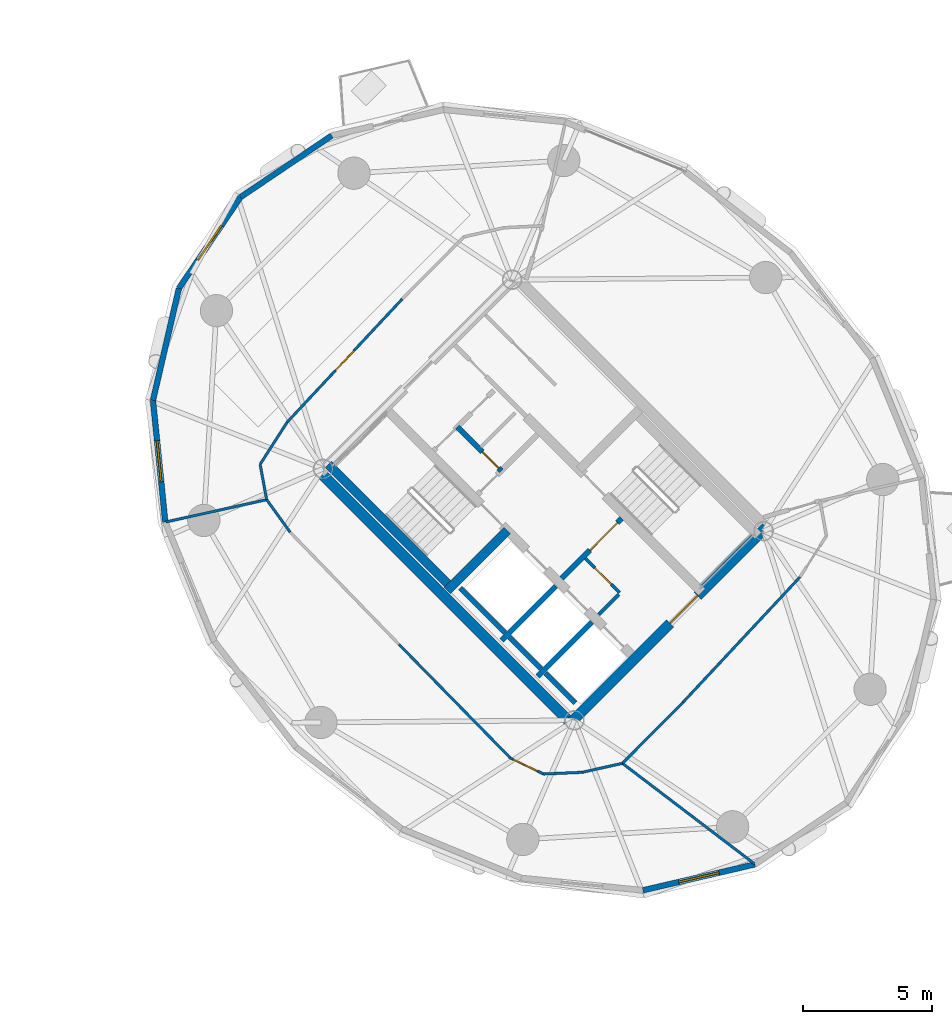
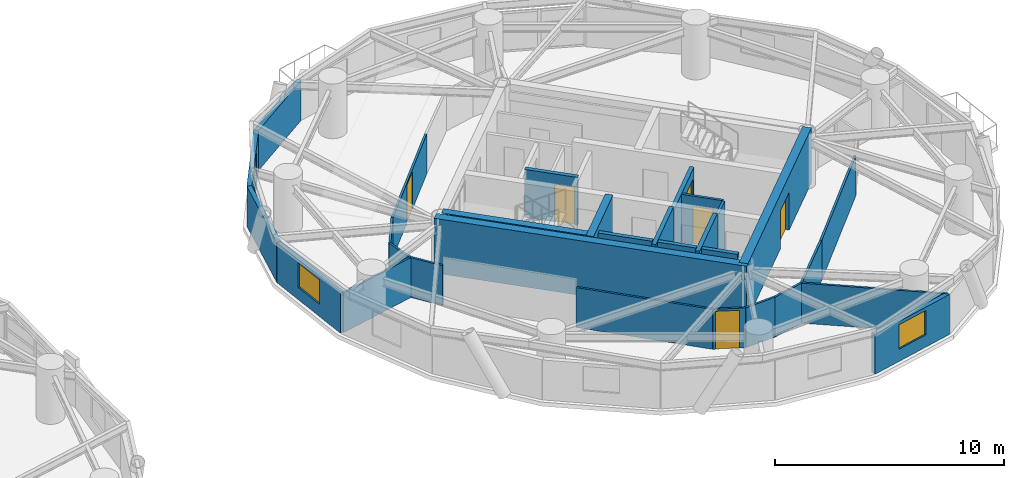
# One storey, part 10 of 15: 30 walls, 6 doors, 3 windows, 9 openings.
"""IFC4 building model written with IfcOpenShell, lengths in metres."""

from ifc_helpers import new_model, si_unit, direction, frame, frame_2d, origin, place, context, subcontext, project, spatial, rectangle, extrude, source, transform, mapped, material, layer, layer_set, type_object, element, fill, save


model = new_model("IFC4")

# Units and contexts
model_context = context("Model", 3, precision=1e-05, world=origin(), true_north=direction((0.0, 1.0)))
body_context = subcontext(model_context, "Body", "Model", "MODEL_VIEW")
ifc_project = project(units=[si_unit("LENGTHUNIT", "METRE"), si_unit("AREAUNIT", "SQUARE_METRE"), si_unit("VOLUMEUNIT", "CUBIC_METRE"), si_unit("PLANEANGLEUNIT", "RADIAN"), si_unit("MASSUNIT", "GRAM", prefix="KILO")], contexts=[model_context])

# Site, building, storey
site_placement = place(None, origin())
site = spatial("IfcSite", under=ifc_project, at=site_placement, CompositionType="ELEMENT")
building_placement = place(site_placement, origin())
building = spatial("IfcBuilding", under=site, at=building_placement, Name="Cununo Teusaquillo Station Towers", CompositionType="ELEMENT")
storey_placement = place(building_placement, frame((0.0, 0.0, 189.429931640625)))
storey = spatial("IfcBuildingStorey", under=building, at=storey_placement, Name="L60", CompositionType="ELEMENT", Elevation=189.429931640625)

# Walls
ifc_material_1 = material(Name="Concrete C50/60", Category="concrete")
ifc_layer_1 = layer(ifc_material_1, 0.199951171875)
ifc_layer_set_1 = layer_set([ifc_layer_1], Name="Concrete C50/60")
wall_type_1 = type_object("IfcWallType", Name="WL-CORE-200", PredefinedType="SHEAR", material=ifc_layer_set_1)
wall_1_placement = place(storey_placement, frame((55.8876953125, 19.0693359375, 0.0), z_axis=(0.0, 0.0, 1.0), x_axis=(0.707106781187, 0.707106781187, 0.0)))
element("IfcWall", 1, at=wall_1_placement, inside=storey, type_object=wall_type_1, Name="L60 Tower B Firefighting Lift Shaft South Shear Wall", PredefinedType="SHEAR", context=body_context, shape_type="SweptSolid", body=[
    extrude(rectangle(XDim=2.969970703125, YDim=0.199951171875, at=frame_2d((1.48486328125, 0.0))), origin(), (0.0, 0.0, 1.0), 2.91015625),
])
wall_2_placement = place(storey_placement, frame((56.01513671875, 19.366455078125, 0.0), z_axis=(0.0, 0.0, 1.0), x_axis=(-0.707106781187, 0.707106781187, 0.0)))
element("IfcWall", 2, at=wall_2_placement, inside=storey, type_object=wall_type_1, Name="L60 Tower B Firefighting Lift Shaft Rear Shear Wall", PredefinedType="SHEAR", context=body_context, shape_type="SweptSolid", body=[
    extrude(rectangle(XDim=2.43994140625, YDim=0.199951171875, at=frame_2d((1.219970703125, 0.0))), origin(), (0.0, 0.0, 1.0), 2.91015625),
])
wall_3_placement = place(storey_placement, frame((57.2841796875, 17.6728515625, 0.0), z_axis=(0.0, 0.0, 1.0), x_axis=(0.707147878904, 0.70706568108, 0.0)))
element("IfcWall", 3, at=wall_3_placement, inside=storey, type_object=wall_type_1, Name="L60 Tower B High-Rise Lift Hoistway Divider Shear Wall", PredefinedType="SHEAR", context=body_context, shape_type="SweptSolid", body=[
    extrude(rectangle(XDim=2.97021484375, YDim=0.199951171875, at=frame_2d((1.485107421875, 0.0))), origin(), (0.0, 0.0, 1.0), 2.91015625),
])
wall_4_placement = place(storey_placement, frame((57.41162109375, 17.969970703125, 0.0), z_axis=(0.0, 0.0, 1.0), x_axis=(-0.707106781187, 0.707106781187, 0.0)))
element("IfcWall", 4, at=wall_4_placement, inside=storey, type_object=wall_type_1, Name="L60 Tower B High-Rise Lift 2 Shaft Rear Shear Wall", PredefinedType="SHEAR", context=body_context, shape_type="SweptSolid", body=[
    extrude(rectangle(XDim=1.73486328125, YDim=0.199951171875, at=frame_2d((0.867431640625, 0.0))), origin(), (0.0, 0.0, 1.0), 2.91015625),
])
wall_5_placement = place(storey_placement, frame((58.7373046875, 16.64404296875, 0.0), z_axis=(0.0, 0.0, 1.0), x_axis=(-0.707032117043, 0.707181437447, 0.0)))
element("IfcWall", 5, at=wall_5_placement, inside=storey, type_object=wall_type_1, Name="L60 Tower B High-Rise Lift 1 Shaft Rear Shear Wall", PredefinedType="SHEAR", context=body_context, shape_type="SweptSolid", body=[
    extrude(rectangle(XDim=1.635009765625, YDim=0.199951171875, at=frame_2d((0.8173828125, 0.0))), origin(), (0.0, 0.0, 1.0), 2.91015625),
])
ifc_material_2 = material(Name="Concrete C50/60", Category="concrete")
ifc_layer_2 = layer(ifc_material_2, 0.35009765625)
ifc_layer_set_2 = layer_set([ifc_layer_2], Name="Concrete C50/60")
wall_type_2 = type_object("IfcWallType", Name="WL-CORE-350", PredefinedType="SHEAR", material=ifc_layer_set_2)
wall_6_placement = place(storey_placement, frame((53.922119140625, 21.14111328125, 0.0), z_axis=(0.0, 0.0, 1.0), x_axis=(-0.707106781187, 0.707106781187, 0.0)))
element("IfcWall", 6, at=wall_6_placement, inside=storey, type_object=wall_type_2, Name="L60 Tower B Core Shear Wall ST1W", PredefinedType="SHEAR", context=body_context, shape_type="SweptSolid", body=[
    extrude(rectangle(XDim=6.695068359375, YDim=0.35009765625, at=frame_2d((3.34765625, 0.0))), origin(), (0.0, 0.0, 1.0), 2.91015625),
])
wall_7_placement = place(storey_placement, frame((53.7841796875, 21.00341796875, 0.0), z_axis=(0.0, 0.0, 1.0), x_axis=(0.707106781187, 0.707106781187, 0.0)))
element("IfcWall", 7, at=wall_7_placement, inside=storey, type_object=wall_type_2, Name="L60 Tower B Core Shear Wall ST1S", PredefinedType="SHEAR", context=body_context, shape_type="SweptSolid", body=[
    extrude(rectangle(XDim=3.284912109375, YDim=0.35009765625, at=frame_2d((1.642578125, 0.0))), origin(), (0.0, 0.0, 1.0), 2.91015625),
])
ifc_material_3 = material(Name="Concrete C50/60", Category="concrete")
ifc_layer_3 = layer(ifc_material_3, 0.39990234375)
ifc_layer_set_3 = layer_set([ifc_layer_3], Name="Concrete C50/60")
wall_type_3 = type_object("IfcWallType", Name="WL-CORE-400", PredefinedType="SHEAR", material=ifc_layer_set_3)
wall_8_placement = place(storey_placement, frame((58.7021484375, 15.73193359375, 0.0), z_axis=(0.0, 0.0, 1.0), x_axis=(-0.707106781187, 0.707106781187, 0.0)))
element("IfcWall", 8, at=wall_8_placement, inside=storey, type_object=wall_type_3, Name="L60 Tower B Core Shear Wall W", PredefinedType="SHEAR", context=body_context, shape_type="SweptSolid", body=[
    extrude(rectangle(XDim=14.10009765625, YDim=0.39990234375, at=frame_2d((7.050048828125, 0.0))), origin(), (0.0, 0.0, 1.0), 2.91015625),
])

# Wall, opening, door
wall_9_placement = place(storey_placement, frame((58.560791015625, 15.873291015625, 0.0), z_axis=(0.0, 0.0, 1.0), x_axis=(0.707106781187, 0.707106781187, 0.0)))
wall_9 = element("IfcWall", 9, at=wall_9_placement, inside=storey, type_object=wall_type_3, Name="L60 Tower B Core Shear Wall S", PredefinedType="SHEAR", context=body_context, shape_type="SweptSolid", body=[
    extrude(rectangle(XDim=10.69970703125, YDim=0.39990234375, at=frame_2d((5.349853515625, 0.0))), origin(), (0.0, 0.0, 1.0), 2.91015625),
])
shared_shape_1 = source(origin(), body_context, "Body", "SweptSolid", [
    extrude(rectangle(XDim=1.5, YDim=2.02001953125, at=frame_2d((0.75, 1.010009765625))), frame((0.0, 0.2099609375, 0.0), z_axis=(0.0, -1.0, 0.0), x_axis=(1.0, 0.0, 0.0)), (0.0, 0.0, 1.0), 0.419921875),
])
opening_1_placement = place(wall_9_placement, frame((5.449951171875, 0.0, 0.0)))
opening_1 = element("IfcOpeningElement", 10, at=opening_1_placement, cuts=wall_9, Name="Opening D-LB1", PredefinedType="OPENING", context=body_context, shape_type="MappedRepresentation", body=[
    mapped(shared_shape_1, transform((0.0, 0.0, 0.0), x_axis=(1.0, 0.0, 0.0), y_axis=(0.0, 1.0, 0.0), z_axis=(0.0, 0.0, 1.0), scale=1.0)),
])
ifc_material_4 = material(Name="Galvanised fire-rated hollow steel door assembly", Category="steel")
door_type_1 = type_object("IfcDoorType", Name="DR-LOBBY-1500", OperationType="DOUBLE_DOOR_SINGLE_SWING", PredefinedType="DOOR", material=ifc_material_4)
shared_shape_2 = source(origin(), body_context, "Body", "SweptSolid", [
    extrude(rectangle(XDim=1.5, YDim=2.02001953125, at=frame_2d((0.75, 1.010009765625))), frame((0.0, 0.02490234375, 0.0), z_axis=(0.0, -1.0, 0.0), x_axis=(1.0, 0.0, 0.0)), (0.0, 0.0, 1.0), 0.050048828125),
])
door_1_placement = place(opening_1_placement, origin())
door_1 = element("IfcDoor", 11, at=door_1_placement, inside=storey, type_object=door_type_1, Name="L60 Tower B South Core Lift Lobby Door", OperationType="DOUBLE_DOOR_SINGLE_SWING", OverallHeight=2.02001953125, OverallWidth=1.5, PredefinedType="DOOR", context=body_context, shape_type="MappedRepresentation", body=[
    mapped(shared_shape_2, transform((0.0, 0.0, 0.0), x_axis=(1.0, 0.0, 0.0), y_axis=(0.0, 1.0, 0.0), z_axis=(0.0, 0.0, 1.0), scale=1.0)),
])
fill(opening_1, door_1)

# Wall
ifc_material_5 = material(Name="Precast concrete C40/50", Category="concrete")
ifc_layer_4 = layer(ifc_material_5, 0.219970703125)
ifc_layer_set_4 = layer_set([ifc_layer_4], Name="Precast concrete C40/50")
wall_type_4 = type_object("IfcWallType", Name="WL-EXT-220", PredefinedType="SOLIDWALL", material=ifc_layer_set_4)
wall_10_placement = place(storey_placement, frame((45.783203125, 36.216796875, 0.0), z_axis=(0.0, 0.0, 1.0), x_axis=(0.828817439852, 0.55951912514, 0.0)))
element("IfcWall", 12, at=wall_10_placement, inside=storey, type_object=wall_type_4, Name="L60 Tower B Exterior Facade Wall C04", PredefinedType="SOLIDWALL", context=body_context, shape_type="SweptSolid", body=[
    extrude(rectangle(XDim=4.259033203125, YDim=0.219970703125, at=frame_2d((2.12939453125, 0.0))), origin(), (0.0, 0.0, 1.0), 2.125),
])

# Wall, opening, window
wall_11_placement = place(storey_placement, frame((43.400146484375, 32.686767578125, 0.0), z_axis=(0.0, 0.0, 1.0), x_axis=(0.55951912514, 0.828817439852, 0.0)))
wall_11 = element("IfcWall", 13, at=wall_11_placement, inside=storey, type_object=wall_type_4, Name="L60 Tower B Exterior Facade Wall C05", PredefinedType="SOLIDWALL", context=body_context, shape_type="SweptSolid", body=[
    extrude(rectangle(XDim=4.259033203125, YDim=0.219970703125, at=frame_2d((2.12939453125, 0.0))), origin(), (0.0, 0.0, 1.0), 2.125),
])
shared_shape_3 = source(origin(), body_context, "Body", "SweptSolid", [
    extrude(rectangle(XDim=1.60009765625, YDim=1.300048828125, at=frame_2d((0.800048828125, 0.64990234375))), frame((0.0, 0.119873046875, 0.0), z_axis=(0.0, -1.0, 0.0), x_axis=(1.0, 0.0, 0.0)), (0.0, 0.0, 1.0), 0.239990234375),
])
opening_2_placement = place(wall_11_placement, frame((1.330078125, 0.0, 0.64990234375)))
opening_2 = element("IfcOpeningElement", 14, at=opening_2_placement, cuts=wall_11, Name="Opening WN-03", PredefinedType="OPENING", context=body_context, shape_type="MappedRepresentation", body=[
    mapped(shared_shape_3, transform((0.0, 0.0, 0.0), x_axis=(1.0, 0.0, 0.0), y_axis=(0.0, 1.0, 0.0), z_axis=(0.0, 0.0, 1.0), scale=1.0)),
])
ifc_material_6 = material(Name="Ceramic-fritted dark low-E double glazing", Category="glass")
window_type = type_object("IfcWindowType", Name="WIN-CORN-1600", PartitioningType="SINGLE_PANEL", PredefinedType="WINDOW", material=ifc_material_6)
shared_shape_4 = source(origin(), body_context, "Body", "SweptSolid", [
    extrude(rectangle(XDim=1.60009765625, YDim=1.300048828125, at=frame_2d((0.800048828125, 0.64990234375))), frame((0.0, 0.030029296875, 0.0), z_axis=(0.0, -1.0, 0.0), x_axis=(1.0, 0.0, 0.0)), (0.0, 0.0, 1.0), 0.06005859375),
])
window_1_placement = place(opening_2_placement, origin())
window_1 = element("IfcWindow", 15, at=window_1_placement, inside=storey, type_object=window_type, Name="L60 Tower B Facade Window C05", OverallHeight=1.300048828125, OverallWidth=1.60009765625, PartitioningType="SINGLE_PANEL", PredefinedType="WINDOW", context=body_context, shape_type="MappedRepresentation", body=[
    mapped(shared_shape_4, transform((0.0, 0.0, 0.0), x_axis=(1.0, 0.0, 0.0), y_axis=(0.0, 1.0, 0.0), z_axis=(0.0, 0.0, 1.0), scale=1.0)),
])
fill(opening_2, window_1)

# Wall
wall_12_placement = place(storey_placement, frame((42.397216796875, 28.355224609375, 0.0), z_axis=(0.0, 0.0, 1.0), x_axis=(0.22557328587, 0.97422620202, 0.0)))
element("IfcWall", 16, at=wall_12_placement, inside=storey, type_object=wall_type_4, Name="L60 Tower B Exterior Facade Wall C06", PredefinedType="SOLIDWALL", context=body_context, shape_type="SweptSolid", body=[
    extrude(rectangle(XDim=4.446044921875, YDim=0.219970703125, at=frame_2d((2.22314453125, 0.0))), origin(), (0.0, 0.0, 1.0), 2.125),
])

# Wall, opening, window
wall_13_placement = place(storey_placement, frame((42.87255859375, 23.646484375, 0.0), z_axis=(0.0, 0.0, 1.0), x_axis=(-0.100438356004, 0.994943283129, 0.0)))
wall_13 = element("IfcWall", 17, at=wall_13_placement, inside=storey, type_object=wall_type_4, Name="L60 Tower B Exterior Facade Wall C07", PredefinedType="SOLIDWALL", context=body_context, shape_type="SweptSolid", body=[
    extrude(rectangle(XDim=4.732666015625, YDim=0.219970703125, at=frame_2d((2.3662109375, 0.0))), origin(), (0.0, 0.0, 1.0), 2.125),
])
opening_3_placement = place(wall_13_placement, frame((1.56591796875, 0.0, 0.64990234375)))
opening_3 = element("IfcOpeningElement", 18, at=opening_3_placement, cuts=wall_13, Name="Opening WN-03", PredefinedType="OPENING", context=body_context, shape_type="MappedRepresentation", body=[
    mapped(shared_shape_3, transform((0.0, 0.0, 0.0), x_axis=(1.0, 0.0, 0.0), y_axis=(0.0, 1.0, 0.0), z_axis=(0.0, 0.0, 1.0), scale=1.0)),
])
window_2_placement = place(opening_3_placement, origin())
window_2 = element("IfcWindow", 19, at=window_2_placement, inside=storey, type_object=window_type, Name="L60 Tower B Facade Window C07", OverallHeight=1.300048828125, OverallWidth=1.60009765625, PartitioningType="SINGLE_PANEL", PredefinedType="WINDOW", context=body_context, shape_type="MappedRepresentation", body=[
    mapped(shared_shape_4, transform((0.0, 0.0, 0.0), x_axis=(1.0, 0.0, 0.0), y_axis=(0.0, 1.0, 0.0), z_axis=(0.0, 0.0, 1.0), scale=1.0)),
])
fill(opening_3, window_2)

wall_14_placement = place(storey_placement, frame((65.686767578125, 10.400146484375, 0.0), z_axis=(0.0, 0.0, 1.0), x_axis=(-0.97422620202, -0.22557328587, 0.0)))
wall_14 = element("IfcWall", 20, at=wall_14_placement, inside=storey, type_object=wall_type_4, Name="L60 Tower B Exterior Facade Wall C13", PredefinedType="SOLIDWALL", context=body_context, shape_type="SweptSolid", body=[
    extrude(rectangle(XDim=4.446044921875, YDim=0.219970703125, at=frame_2d((2.22314453125, 0.0))), origin(), (0.0, 0.0, 1.0), 2.125),
])
opening_4_placement = place(wall_14_placement, frame((1.423095703125, 0.0, 0.64990234375)))
opening_4 = element("IfcOpeningElement", 21, at=opening_4_placement, cuts=wall_14, Name="Opening WN-03", PredefinedType="OPENING", context=body_context, shape_type="MappedRepresentation", body=[
    mapped(shared_shape_3, transform((0.0, 0.0, 0.0), x_axis=(1.0, 0.0, 0.0), y_axis=(0.0, 1.0, 0.0), z_axis=(0.0, 0.0, 1.0), scale=1.0)),
])
window_3_placement = place(opening_4_placement, origin())
window_3 = element("IfcWindow", 22, at=window_3_placement, inside=storey, type_object=window_type, Name="L60 Tower B Facade Window C13", OverallHeight=1.300048828125, OverallWidth=1.60009765625, PartitioningType="SINGLE_PANEL", PredefinedType="WINDOW", context=body_context, shape_type="MappedRepresentation", body=[
    mapped(shared_shape_4, transform((0.0, 0.0, 0.0), x_axis=(1.0, 0.0, 0.0), y_axis=(0.0, 1.0, 0.0), z_axis=(0.0, 0.0, 1.0), scale=1.0)),
])
fill(opening_4, window_3)

# Wall, opening, door
ifc_material_7 = material(Name="Fire-rated gypsum plasterboard partition assembly", Category="gypsum")
ifc_layer_5 = layer(ifc_material_7, 0.10009765625)
ifc_layer_set_5 = layer_set([ifc_layer_5], Name="Fire-rated gypsum plasterboard partition assembly")
wall_type_5 = type_object("IfcWallType", Name="WL-PART-100", PredefinedType="MOVABLE", material=ifc_layer_set_5)
wall_15_placement = place(storey_placement, frame((52.04345703125, 32.27978515625, 0.0), z_axis=(0.0, 0.0, 1.0), x_axis=(-0.682606081633, -0.730786519661, 0.0)))
wall_15 = element("IfcWall", 23, at=wall_15_placement, inside=storey, type_object=wall_type_5, Name="L60 Tower B Corridor Ring Wall C05", PredefinedType="MOVABLE", context=body_context, shape_type="SweptSolid", body=[
    extrude(rectangle(XDim=6.526611328125, YDim=0.10009765625, at=frame_2d((3.26318359375, 0.0))), origin(), (0.0, 0.0, 1.0), 2.125),
])
shared_shape_5 = source(origin(), body_context, "Body", "SweptSolid", [
    extrude(rectangle(XDim=1.050048828125, YDim=2.014892578125, at=frame_2d((0.52490234375, 1.00732421875))), frame((0.0, 0.06005859375, 0.0), z_axis=(0.0, -1.0, 0.0), x_axis=(1.0, 0.0, 0.0)), (0.0, 0.0, 1.0), 0.1201171875),
])
opening_5_placement = place(wall_15_placement, frame((2.73828125, 0.0, 0.0)))
opening_5 = element("IfcOpeningElement", 24, at=opening_5_placement, cuts=wall_15, Name="Opening D-SU1", PredefinedType="OPENING", context=body_context, shape_type="MappedRepresentation", body=[
    mapped(shared_shape_5, transform((0.0, 0.0, 0.0), x_axis=(1.0, 0.0, 0.0), y_axis=(0.0, 1.0, 0.0), z_axis=(0.0, 0.0, 1.0), scale=1.0)),
])
ifc_material_8 = material(Name="Acoustic solid-core hardwood leaf assembly", Category="wood")
door_type_2 = type_object("IfcDoorType", Name="DR-SUITE-1050", OperationType="NOTDEFINED", PredefinedType="DOOR", material=ifc_material_8)
shared_shape_6 = source(origin(), body_context, "Body", "SweptSolid", [
    extrude(rectangle(XDim=1.050048828125, YDim=2.014892578125, at=frame_2d((0.52490234375, 1.00732421875))), frame((0.0, 0.02490234375, 0.0), z_axis=(0.0, -1.0, 0.0), x_axis=(1.0, 0.0, 0.0)), (0.0, 0.0, 1.0), 0.050048828125),
])
door_2_placement = place(opening_5_placement, origin())
door_2 = element("IfcDoor", 25, at=door_2_placement, inside=storey, type_object=door_type_2, Name="L60 Tower B Summit Banquet & Symposium Hall Entrance Door", OperationType="SINGLE_SWING_LEFT", OverallHeight=2.014892578125, OverallWidth=1.050048828125, PredefinedType="DOOR", context=body_context, shape_type="MappedRepresentation", body=[
    mapped(shared_shape_6, transform((0.0, 0.0, 0.0), x_axis=(1.0, 0.0, 0.0), y_axis=(0.0, 1.0, 0.0), z_axis=(0.0, 0.0, 1.0), scale=1.0)),
])
fill(opening_5, door_2)

# Walls
wall_16_placement = place(storey_placement, frame((47.58837890625, 27.51025390625, 0.0), z_axis=(0.0, 0.0, 1.0), x_axis=(-0.540202619347, -0.841534984449, 0.0)))
element("IfcWall", 26, at=wall_16_placement, inside=storey, type_object=wall_type_5, Name="L60 Tower B Corridor Ring Wall C06", PredefinedType="MOVABLE", context=body_context, shape_type="SweptSolid", body=[
    extrude(rectangle(XDim=1.934814453125, YDim=0.10009765625, at=frame_2d((0.96728515625, 0.0))), origin(), (0.0, 0.0, 1.0), 2.125),
])
wall_17_placement = place(storey_placement, frame((46.543212890625, 25.882080078125, 0.0), z_axis=(0.0, 0.0, 1.0), x_axis=(0.181153502579, -0.983454832976, 0.0)))
element("IfcWall", 27, at=wall_17_placement, inside=storey, type_object=wall_type_5, Name="L60 Tower B Corridor Ring Wall C07", PredefinedType="MOVABLE", context=body_context, shape_type="SweptSolid", body=[
    extrude(rectangle(XDim=1.39208984375, YDim=0.10009765625, at=frame_2d((0.696044921875, 0.0))), origin(), (0.0, 0.0, 1.0), 2.125),
])
wall_18_placement = place(storey_placement, frame((46.79541015625, 24.512939453125, 0.0), z_axis=(0.0, 0.0, 1.0), x_axis=(0.585628197524, -0.810579801294, 0.0)))
element("IfcWall", 28, at=wall_18_placement, inside=storey, type_object=wall_type_5, Name="L60 Tower B Corridor Ring Wall C08", PredefinedType="MOVABLE", context=body_context, shape_type="SweptSolid", body=[
    extrude(rectangle(XDim=1.55419921875, YDim=0.10009765625, at=frame_2d((0.777099609375, 0.0))), origin(), (0.0, 0.0, 1.0), 2.125),
])
wall_19_placement = place(storey_placement, frame((51.913818359375, 18.913818359375, 0.0), z_axis=(0.0, 0.0, 1.0), x_axis=(0.699999313799, -0.714143515465, 0.0)))
element("IfcWall", 29, at=wall_19_placement, inside=storey, type_object=wall_type_5, Name="L60 Tower B Corridor Ring Wall C10", PredefinedType="MOVABLE", context=body_context, shape_type="SweptSolid", body=[
    extrude(rectangle(XDim=6.162109375, YDim=0.10009765625, at=frame_2d((3.0810546875, 0.0))), origin(), (0.0, 0.0, 1.0), 2.125),
])

# Wall, opening, door
wall_20_placement = place(storey_placement, frame((56.227294921875, 14.51318359375, 0.0), z_axis=(0.0, 0.0, 1.0), x_axis=(0.901477579283, -0.432825801044, 0.0)))
wall_20 = element("IfcWall", 30, at=wall_20_placement, inside=storey, type_object=wall_type_5, Name="L60 Tower B Corridor Ring Wall C11", PredefinedType="MOVABLE", context=body_context, shape_type="SweptSolid", body=[
    extrude(rectangle(XDim=1.42431640625, YDim=0.10009765625, at=frame_2d((0.712158203125, 0.0))), origin(), (0.0, 0.0, 1.0), 2.125),
])
opening_6_placement = place(wall_20_placement, frame((0.1201171875, 0.0, 0.0)))
opening_6 = element("IfcOpeningElement", 31, at=opening_6_placement, cuts=wall_20, Name="Opening D-SU1", PredefinedType="OPENING", context=body_context, shape_type="MappedRepresentation", body=[
    mapped(shared_shape_5, transform((0.0, 0.0, 0.0), x_axis=(1.0, 0.0, 0.0), y_axis=(0.0, 1.0, 0.0), z_axis=(0.0, 0.0, 1.0), scale=1.0)),
])
door_3_placement = place(opening_6_placement, origin())
door_3 = element("IfcDoor", 32, at=door_3_placement, inside=storey, type_object=door_type_2, Name="L60 Tower B Imperial Canopy Exhibition Lounge Entrance Door", OperationType="SINGLE_SWING_RIGHT", OverallHeight=2.014892578125, OverallWidth=1.050048828125, PredefinedType="DOOR", context=body_context, shape_type="MappedRepresentation", body=[
    mapped(shared_shape_6, transform((0.0, 0.0, 0.0), x_axis=(1.0, 0.0, 0.0), y_axis=(0.0, 1.0, 0.0), z_axis=(0.0, 0.0, 1.0), scale=1.0)),
])
fill(opening_6, door_3)

# Walls
wall_21_placement = place(storey_placement, frame((57.51123046875, 13.896728515625, 0.0), z_axis=(0.0, 0.0, 1.0), x_axis=(0.999024538494, 0.044158481476, 0.0)))
element("IfcWall", 33, at=wall_21_placement, inside=storey, type_object=wall_type_5, Name="L60 Tower B Corridor Ring Wall C12", PredefinedType="MOVABLE", context=body_context, shape_type="SweptSolid", body=[
    extrude(rectangle(XDim=1.498291015625, YDim=0.10009765625, at=frame_2d((0.7490234375, 0.0))), origin(), (0.0, 0.0, 1.0), 2.125),
])
wall_22_placement = place(storey_placement, frame((59.008056640625, 13.962890625, 0.0), z_axis=(0.0, 0.0, 1.0), x_axis=(0.976020856791, 0.21767702476, 0.0)))
element("IfcWall", 34, at=wall_22_placement, inside=storey, type_object=wall_type_5, Name="L60 Tower B Corridor Ring Wall C13", PredefinedType="MOVABLE", context=body_context, shape_type="SweptSolid", body=[
    extrude(rectangle(XDim=1.592529296875, YDim=0.10009765625, at=frame_2d((0.79638671875, 0.0))), origin(), (0.0, 0.0, 1.0), 2.125),
])
wall_23_placement = place(storey_placement, frame((60.5625, 14.3095703125, 0.0), z_axis=(0.0, 0.0, 1.0), x_axis=(0.704566236161, 0.709638230975, 0.0)))
element("IfcWall", 35, at=wall_23_placement, inside=storey, type_object=wall_type_5, Name="L60 Tower B Corridor Ring Wall C14", PredefinedType="MOVABLE", context=body_context, shape_type="SweptSolid", body=[
    extrude(rectangle(XDim=3.3212890625, YDim=0.10009765625, at=frame_2d((1.66064453125, 0.0))), origin(), (0.0, 0.0, 1.0), 2.125),
])
wall_24_placement = place(storey_placement, frame((62.902587890625, 16.66650390625, 0.0), z_axis=(0.0, 0.0, 1.0), x_axis=(0.682371947497, 0.731005147225, 0.0)))
element("IfcWall", 36, at=wall_24_placement, inside=storey, type_object=wall_type_5, Name="L60 Tower B Corridor Ring Wall C15", PredefinedType="MOVABLE", context=body_context, shape_type="SweptSolid", body=[
    extrude(rectangle(XDim=6.6416015625, YDim=0.10009765625, at=frame_2d((3.32080078125, 0.0))), origin(), (0.0, 0.0, 1.0), 2.125),
])
wall_25_placement = place(storey_placement, frame((46.79541015625, 24.512939453125, 0.0), z_axis=(0.0, 0.0, 1.0), x_axis=(-0.97638925617, -0.216018565026, 0.0)))
element("IfcWall", 37, at=wall_25_placement, inside=storey, type_object=wall_type_5, Name="L60 Tower B Radial Suite Partition R02", PredefinedType="MOVABLE", context=body_context, shape_type="SweptSolid", body=[
    extrude(rectangle(XDim=3.99755859375, YDim=0.10009765625, at=frame_2d((1.998779296875, 0.0))), origin(), (0.0, 0.0, 1.0), 2.125),
])
wall_26_placement = place(storey_placement, frame((60.5625, 14.3095703125, 0.0), z_axis=(0.0, 0.0, 1.0), x_axis=(0.795846601014, -0.605498296987, 0.0)))
element("IfcWall", 38, at=wall_26_placement, inside=storey, type_object=wall_type_5, Name="L60 Tower B Radial Suite Partition R03", PredefinedType="MOVABLE", context=body_context, shape_type="SweptSolid", body=[
    extrude(rectangle(XDim=6.427001953125, YDim=0.10009765625, at=frame_2d((3.21337890625, 0.0))), origin(), (0.0, 0.0, 1.0), 2.125),
])

# Wall, opening, door
ifc_material_9 = material(Name="Fire-rated gypsum plasterboard partition assembly", Category="gypsum")
ifc_layer_6 = layer(ifc_material_9, 0.125)
ifc_layer_set_6 = layer_set([ifc_layer_6], Name="Fire-rated gypsum plasterboard partition assembly")
wall_type_6 = type_object("IfcWallType", Name="WL-PART-125", PredefinedType="PARTITIONING", material=ifc_layer_set_6)
wall_27_placement = place(storey_placement, frame((60.448486328125, 20.9150390625, 0.0), z_axis=(0.0, 0.0, 1.0), x_axis=(-0.707106781187, 0.707106781187, 0.0)))
wall_27 = element("IfcWall", 39, at=wall_27_placement, inside=storey, type_object=wall_type_6, Name="L60 Tower B North-West Lobby Store East Wall", PredefinedType="PARTITIONING", context=body_context, shape_type="SweptSolid", body=[
    extrude(rectangle(XDim=1.869873046875, YDim=0.125, at=frame_2d((0.93505859375, 0.0))), origin(), (0.0, 0.0, 1.0), 2.55517578125),
])
shared_shape_7 = source(origin(), body_context, "Body", "SweptSolid", [
    extrude(rectangle(XDim=0.89990234375, YDim=2.0048828125, at=frame_2d((0.449951171875, 1.00244140625))), frame((0.0, 0.072509765625, 0.0), z_axis=(0.0, -1.0, 0.0), x_axis=(1.0, 0.0, 0.0)), (0.0, 0.0, 1.0), 0.14501953125),
])
opening_7_placement = place(wall_27_placement, frame((0.449951171875, 0.0, 0.0)))
opening_7 = element("IfcOpeningElement", 40, at=opening_7_placement, cuts=wall_27, Name="Opening D-SR1", PredefinedType="OPENING", context=body_context, shape_type="MappedRepresentation", body=[
    mapped(shared_shape_7, transform((0.0, 0.0, 0.0), x_axis=(1.0, 0.0, 0.0), y_axis=(0.0, 1.0, 0.0), z_axis=(0.0, 0.0, 1.0), scale=1.0)),
])
ifc_material_10 = material(Name="Galvanised fire-rated hollow steel door assembly", Category="steel")
door_type_3 = type_object("IfcDoorType", Name="DR-STORE-900", OperationType="NOTDEFINED", PredefinedType="DOOR", material=ifc_material_10)
shared_shape_8 = source(origin(), body_context, "Body", "SweptSolid", [
    extrude(rectangle(XDim=0.89990234375, YDim=2.0048828125, at=frame_2d((0.449951171875, 1.00244140625))), frame((0.0, 0.02490234375, 0.0), z_axis=(0.0, -1.0, 0.0), x_axis=(1.0, 0.0, 0.0)), (0.0, 0.0, 1.0), 0.050048828125),
])
door_4_placement = place(opening_7_placement, origin())
door_4 = element("IfcDoor", 41, at=door_4_placement, inside=storey, type_object=door_type_3, Name="L60 Tower B South Lobby Data Store Door", OperationType="SINGLE_SWING_RIGHT", OverallHeight=2.0048828125, OverallWidth=0.89990234375, PredefinedType="DOOR", context=body_context, shape_type="MappedRepresentation", body=[
    mapped(shared_shape_8, transform((0.0, 0.0, 0.0), x_axis=(1.0, 0.0, 0.0), y_axis=(0.0, 1.0, 0.0), z_axis=(0.0, 0.0, 1.0), scale=1.0)),
])
fill(opening_7, door_4)

# Wall
wall_28_placement = place(storey_placement, frame((59.642578125, 20.06640625, 0.0), z_axis=(0.0, 0.0, 1.0), x_axis=(0.707106781187, 0.707106781187, 0.0)))
element("IfcWall", 42, at=wall_28_placement, inside=storey, type_object=wall_type_6, Name="L60 Tower B North-West Lobby Store South Wall", PredefinedType="PARTITIONING", context=body_context, shape_type="SweptSolid", body=[
    extrude(rectangle(XDim=1.10009765625, YDim=0.125, at=frame_2d((0.550048828125, 0.0))), origin(), (0.0, 0.0, 1.0), 2.55517578125),
])

# Wall, opening, door
ifc_material_11 = material(Name="Fire-rated gypsum plasterboard partition assembly", Category="gypsum")
ifc_layer_7 = layer(ifc_material_11, 0.199951171875)
ifc_layer_set_7 = layer_set([ifc_layer_7], Name="Fire-rated gypsum plasterboard partition assembly")
wall_type_7 = type_object("IfcWallType", Name="WL-PART-200", PredefinedType="PARTITIONING", material=ifc_layer_set_7)
wall_29_placement = place(storey_placement, frame((58.214111328125, 21.466552734375, 0.0), z_axis=(0.0, 0.0, 1.0), x_axis=(0.707106781187, 0.707106781187, 0.0)))
wall_29 = element("IfcWall", 43, at=wall_29_placement, inside=storey, type_object=wall_type_7, Name="L60 Tower B Firefighting Lift Lobby South Fire Wall", PredefinedType="PARTITIONING", context=body_context, shape_type="SweptSolid", body=[
    extrude(rectangle(XDim=3.280029296875, YDim=0.199951171875, at=frame_2d((1.64013671875, 0.0))), origin(), (0.0, 0.0, 1.0), 2.55517578125),
])
shared_shape_9 = source(origin(), body_context, "Body", "SweptSolid", [
    extrude(rectangle(XDim=1.5, YDim=2.02001953125, at=frame_2d((0.75, 1.010009765625))), frame((0.0, 0.10986328125, 0.0), z_axis=(0.0, -1.0, 0.0), x_axis=(1.0, 0.0, 0.0)), (0.0, 0.0, 1.0), 0.219970703125),
])
opening_8_placement = place(wall_29_placement, frame((1.550048828125, 0.0, 0.0)))
opening_8 = element("IfcOpeningElement", 44, at=opening_8_placement, cuts=wall_29, Name="Opening D-LB1", PredefinedType="OPENING", context=body_context, shape_type="MappedRepresentation", body=[
    mapped(shared_shape_9, transform((0.0, 0.0, 0.0), x_axis=(1.0, 0.0, 0.0), y_axis=(0.0, 1.0, 0.0), z_axis=(0.0, 0.0, 1.0), scale=1.0)),
])
door_5_placement = place(opening_8_placement, origin())
door_5 = element("IfcDoor", 45, at=door_5_placement, inside=storey, type_object=door_type_1, Name="L60 Tower B Firefighting Lift Lobby South Fire Door", OperationType="DOUBLE_DOOR_SINGLE_SWING", OverallHeight=2.02001953125, OverallWidth=1.5, PredefinedType="DOOR", context=body_context, shape_type="MappedRepresentation", body=[
    mapped(shared_shape_2, transform((0.0, 0.0, 0.0), x_axis=(1.0, 0.0, 0.0), y_axis=(0.0, 1.0, 0.0), z_axis=(0.0, 0.0, 1.0), scale=1.0)),
])
fill(opening_8, door_5)

wall_30_placement = place(storey_placement, frame((55.873779296875, 25.63134765625, 0.0), z_axis=(0.0, 0.0, 1.0), x_axis=(-0.707157639372, 0.707055919343, 0.0)))
wall_30 = element("IfcWall", 46, at=wall_30_placement, inside=storey, type_object=wall_type_7, Name="L60 Tower B Stair 1 Vestibule Partition Wall", PredefinedType="PARTITIONING", context=body_context, shape_type="SweptSolid", body=[
    extrude(rectangle(XDim=2.400146484375, YDim=0.199951171875, at=frame_2d((1.2001953125, 0.0))), origin(), (0.0, 0.0, 1.0), 2.55517578125),
])
shared_shape_10 = source(origin(), body_context, "Body", "SweptSolid", [
    extrude(rectangle(XDim=0.89990234375, YDim=2.0048828125, at=frame_2d((0.449951171875, 1.00244140625))), frame((0.0, 0.10986328125, 0.0), z_axis=(0.0, -1.0, 0.0), x_axis=(1.0, 0.0, 0.0)), (0.0, 0.0, 1.0), 0.219970703125),
])
opening_9_placement = place(wall_30_placement, frame((0.139892578125, 0.0, 0.0)))
opening_9 = element("IfcOpeningElement", 47, at=opening_9_placement, cuts=wall_30, Name="Opening D-SR1", PredefinedType="OPENING", context=body_context, shape_type="MappedRepresentation", body=[
    mapped(shared_shape_10, transform((0.0, 0.0, 0.0), x_axis=(1.0, 0.0, 0.0), y_axis=(0.0, 1.0, 0.0), z_axis=(0.0, 0.0, 1.0), scale=1.0)),
])
door_6_placement = place(opening_9_placement, origin())
door_6 = element("IfcDoor", 48, at=door_6_placement, inside=storey, type_object=door_type_3, Name="L60 Tower B Core Linen Store Door", OperationType="SINGLE_SWING_LEFT", OverallHeight=2.0048828125, OverallWidth=0.89990234375, PredefinedType="DOOR", context=body_context, shape_type="MappedRepresentation", body=[
    mapped(shared_shape_8, transform((0.0, 0.0, 0.0), x_axis=(1.0, 0.0, 0.0), y_axis=(0.0, 1.0, 0.0), z_axis=(0.0, 0.0, 1.0), scale=1.0)),
])
fill(opening_9, door_6)

save(model, "model.ifc")
